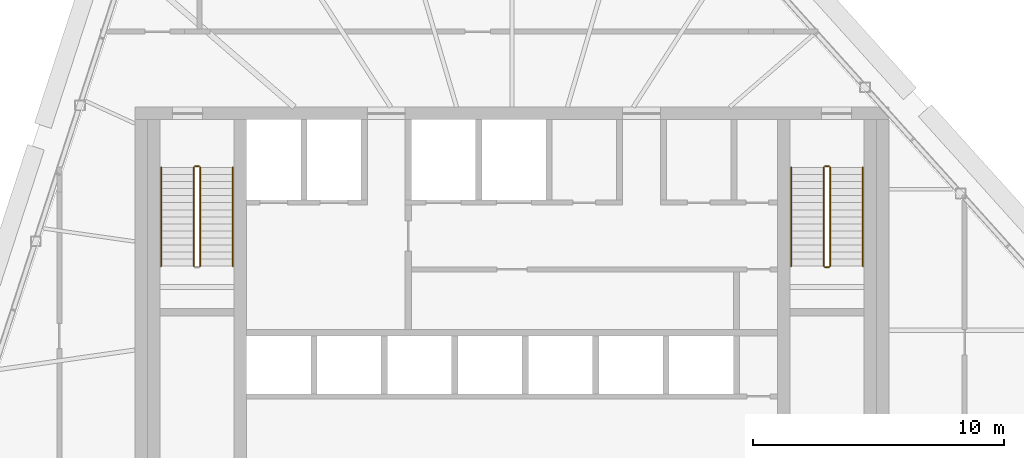
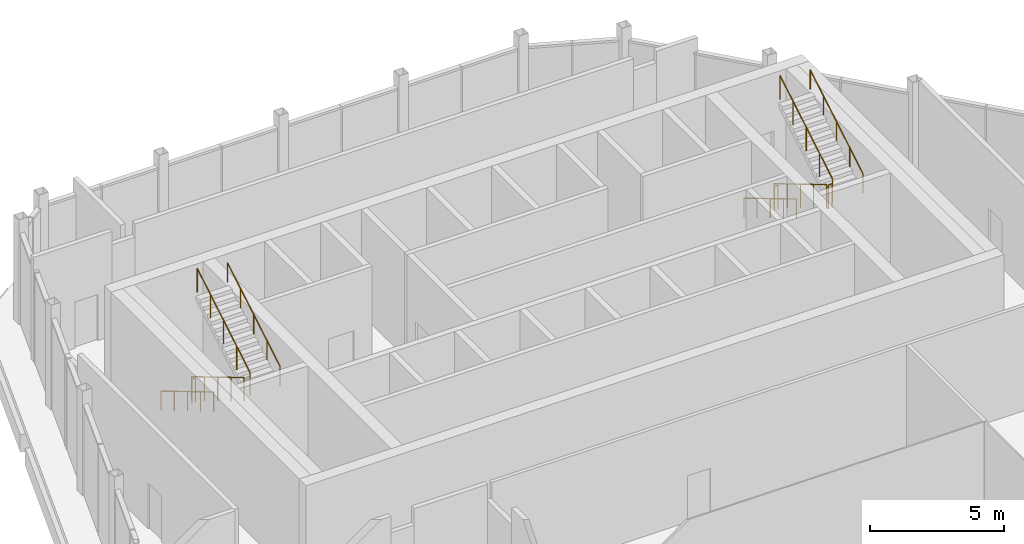
# One storey, part 12 of 12: 11 railings.
"""IFC4 building model written with IfcOpenShell, lengths in metres."""

from ifc_helpers import new_model, si_unit, direction, frame, origin, origin_2d, place, context, subcontext, project, spatial, circle, extrude, material, type_object, element, save


model = new_model("IFC4")

# Units and contexts
model_context = context("Model", 3, precision=1e-05, world=origin(), true_north=direction((0.0, 1.0)))
body_context = subcontext(model_context, "Body", "Model", "MODEL_VIEW")
ifc_project = project(units=[si_unit("LENGTHUNIT", "METRE"), si_unit("AREAUNIT", "SQUARE_METRE"), si_unit("VOLUMEUNIT", "CUBIC_METRE"), si_unit("PLANEANGLEUNIT", "RADIAN"), si_unit("MASSUNIT", "GRAM", prefix="KILO")], contexts=[model_context])

# Site, building, storey
site_placement = place(None, origin())
site = spatial("IfcSite", under=ifc_project, at=site_placement, CompositionType="ELEMENT")
building_placement = place(site_placement, origin())
building = spatial("IfcBuilding", under=site, at=building_placement, Name="Isthmus Gate Tower", CompositionType="ELEMENT")
storey_placement = place(building_placement, frame((0.0, 0.0, 301.10009765625)))
storey = spatial("IfcBuildingStorey", under=building, at=storey_placement, Name="C1", CompositionType="ELEMENT", Elevation=301.10009765625)

# Railings
ifc_material_1 = material(Name="Stainless steel balustrade", Category="steel")
railing_type_1 = type_object("IfcRailingType", Name="STAIR GUARD 1100", PredefinedType="GUARDRAIL", material=ifc_material_1)
railing_1_placement = place(storey_placement, frame((-12.64990234375, 12.60009765625, 0.16650390625)))
element("IfcRailing", 1, at=railing_1_placement, inside=storey, type_object=railing_type_1, Name="C1 ST1 stair guard 1", PredefinedType="GUARDRAIL", context=body_context, shape_type="SweptSolid", body=[
    extrude(circle(Radius=0.02392578125, at=origin_2d()), frame((0.0, 0.0, 1.076171875), z_axis=(0.0, -0.859286724212, 0.511494208758), x_axis=(1.0, 0.0, 0.0)), (0.0, 0.0, 1.0), 4.56201171875),
    extrude(circle(Radius=0.02099609375, at=origin_2d()), origin(), (0.0, 0.0, 1.0), 1.052001953125),
    extrude(circle(Radius=0.02099609375, at=origin_2d()), frame((0.0, -0.97998046875, 0.58349609375)), (0.0, 0.0, 1.0), 1.052001953125),
    extrude(circle(Radius=0.02099609375, at=origin_2d()), frame((0.0, -1.9599609375, 1.166748046875)), (0.0, 0.0, 1.0), 1.052001953125),
    extrude(circle(Radius=0.02099609375, at=origin_2d()), frame((0.0, -2.940185546875, 1.75)), (0.0, 0.0, 1.0), 1.052001953125),
    extrude(circle(Radius=0.02099609375, at=origin_2d()), frame((0.0, -3.920166015625, 2.33349609375)), (0.0, 0.0, 1.0), 1.052001953125),
])
railing_2_placement = place(storey_placement, frame((-12.39990234375, 8.679931640625, 2.66650390625)))
element("IfcRailing", 2, at=railing_2_placement, inside=storey, type_object=railing_type_1, Name="C1 ST1 stair guard 3", PredefinedType="GUARDRAIL", context=body_context, shape_type="SweptSolid", body=[
    extrude(circle(Radius=0.02392578125, at=origin_2d()), frame((0.0, 0.0, 1.076171875), z_axis=(0.0, 0.859286724212, 0.511494208758), x_axis=(-1.0, 0.0, 0.0)), (0.0, 0.0, 1.0), 4.56201171875),
    extrude(circle(Radius=0.02099609375, at=origin_2d()), origin(), (0.0, 0.0, 1.0), 1.052001953125),
    extrude(circle(Radius=0.02099609375, at=origin_2d()), frame((0.0, 0.97998046875, 0.58349609375)), (0.0, 0.0, 1.0), 1.052001953125),
    extrude(circle(Radius=0.02099609375, at=origin_2d()), frame((0.0, 1.9599609375, 1.166748046875)), (0.0, 0.0, 1.0), 1.052001953125),
    extrude(circle(Radius=0.02099609375, at=origin_2d()), frame((0.0, 2.940185546875, 1.75)), (0.0, 0.0, 1.0), 1.052001953125),
    extrude(circle(Radius=0.02099609375, at=origin_2d()), frame((0.0, 3.920166015625, 2.33349609375)), (0.0, 0.0, 1.0), 1.052001953125),
])
railing_3_placement = place(storey_placement, frame((-12.60009765625, 12.64990234375, 0.0)))
element("IfcRailing", 3, at=railing_3_placement, inside=storey, type_object=railing_type_1, Name="C1 ST1 stair guard 4", PredefinedType="GUARDRAIL", context=body_context, shape_type="SweptSolid", body=[
    extrude(circle(Radius=0.02392578125, at=origin_2d()), frame((0.0, 0.0, 1.076171875), z_axis=(1.0, 0.0, 0.0), x_axis=(0.0, 1.0, 0.0)), (0.0, 0.0, 1.0), 0.150146484375),
    extrude(circle(Radius=0.02099609375, at=origin_2d()), origin(), (0.0, 0.0, 1.0), 1.052001953125),
    extrude(circle(Radius=0.02099609375, at=origin_2d()), frame((0.150146484375, 0.0, 0.0)), (0.0, 0.0, 1.0), 1.052001953125),
])
railing_4_placement = place(storey_placement, frame((12.39990234375, 12.60009765625, 0.16650390625)))
element("IfcRailing", 4, at=railing_4_placement, inside=storey, type_object=railing_type_1, Name="C1 ST2 stair guard 1", PredefinedType="GUARDRAIL", context=body_context, shape_type="SweptSolid", body=[
    extrude(circle(Radius=0.02392578125, at=origin_2d()), frame((0.0, 0.0, 1.076171875), z_axis=(0.0, -0.859286724212, 0.511494208758), x_axis=(1.0, 0.0, 0.0)), (0.0, 0.0, 1.0), 4.56201171875),
    extrude(circle(Radius=0.02099609375, at=origin_2d()), origin(), (0.0, 0.0, 1.0), 1.052001953125),
    extrude(circle(Radius=0.02099609375, at=origin_2d()), frame((0.0, -0.97998046875, 0.58349609375)), (0.0, 0.0, 1.0), 1.052001953125),
    extrude(circle(Radius=0.02099609375, at=origin_2d()), frame((0.0, -1.9599609375, 1.166748046875)), (0.0, 0.0, 1.0), 1.052001953125),
    extrude(circle(Radius=0.02099609375, at=origin_2d()), frame((0.0, -2.940185546875, 1.75)), (0.0, 0.0, 1.0), 1.052001953125),
    extrude(circle(Radius=0.02099609375, at=origin_2d()), frame((0.0, -3.920166015625, 2.33349609375)), (0.0, 0.0, 1.0), 1.052001953125),
])
railing_5_placement = place(storey_placement, frame((12.449951171875, 8.6298828125, 2.5)))
element("IfcRailing", 5, at=railing_5_placement, inside=storey, type_object=railing_type_1, Name="C1 ST2 stair guard 2", PredefinedType="GUARDRAIL", context=body_context, shape_type="SweptSolid", body=[
    extrude(circle(Radius=0.02392578125, at=origin_2d()), frame((0.0, 0.0, 1.076171875), z_axis=(1.0, 0.0, 0.0), x_axis=(0.0, 1.0, 0.0)), (0.0, 0.0, 1.0), 0.150146484375),
    extrude(circle(Radius=0.02099609375, at=origin_2d()), origin(), (0.0, 0.0, 1.0), 1.052001953125),
    extrude(circle(Radius=0.02099609375, at=origin_2d()), frame((0.150146484375, 0.0, 0.0)), (0.0, 0.0, 1.0), 1.052001953125),
])
railing_6_placement = place(storey_placement, frame((12.64990234375, 8.679931640625, 2.66650390625)))
element("IfcRailing", 6, at=railing_6_placement, inside=storey, type_object=railing_type_1, Name="C1 ST2 stair guard 3", PredefinedType="GUARDRAIL", context=body_context, shape_type="SweptSolid", body=[
    extrude(circle(Radius=0.02392578125, at=origin_2d()), frame((0.0, 0.0, 1.076171875), z_axis=(0.0, 0.859286724212, 0.511494208758), x_axis=(-1.0, 0.0, 0.0)), (0.0, 0.0, 1.0), 4.56201171875),
    extrude(circle(Radius=0.02099609375, at=origin_2d()), origin(), (0.0, 0.0, 1.0), 1.052001953125),
    extrude(circle(Radius=0.02099609375, at=origin_2d()), frame((0.0, 0.97998046875, 0.58349609375)), (0.0, 0.0, 1.0), 1.052001953125),
    extrude(circle(Radius=0.02099609375, at=origin_2d()), frame((0.0, 1.9599609375, 1.166748046875)), (0.0, 0.0, 1.0), 1.052001953125),
    extrude(circle(Radius=0.02099609375, at=origin_2d()), frame((0.0, 2.940185546875, 1.75)), (0.0, 0.0, 1.0), 1.052001953125),
    extrude(circle(Radius=0.02099609375, at=origin_2d()), frame((0.0, 3.920166015625, 2.33349609375)), (0.0, 0.0, 1.0), 1.052001953125),
])
railing_7_placement = place(storey_placement, frame((12.449951171875, 12.64990234375, 0.0)))
element("IfcRailing", 7, at=railing_7_placement, inside=storey, type_object=railing_type_1, Name="C1 ST2 stair guard 4", PredefinedType="GUARDRAIL", context=body_context, shape_type="SweptSolid", body=[
    extrude(circle(Radius=0.02392578125, at=origin_2d()), frame((0.0, 0.0, 1.076171875), z_axis=(1.0, 0.0, 0.0), x_axis=(0.0, 1.0, 0.0)), (0.0, 0.0, 1.0), 0.150146484375),
    extrude(circle(Radius=0.02099609375, at=origin_2d()), origin(), (0.0, 0.0, 1.0), 1.052001953125),
    extrude(circle(Radius=0.02099609375, at=origin_2d()), frame((0.150146484375, 0.0, 0.0)), (0.0, 0.0, 1.0), 1.052001953125),
])
ifc_material_2 = material(Name="Stainless steel handrail", Category="steel")
railing_type_2 = type_object("IfcRailingType", Name="STAIR HANDRAIL 900", PredefinedType="HANDRAIL", material=ifc_material_2)
railing_8_placement = place(storey_placement, frame((-13.949951171875, 12.60009765625, 0.16650390625)))
element("IfcRailing", 8, at=railing_8_placement, inside=storey, type_object=railing_type_2, Name="C1 ST1 stair handrail 1", PredefinedType="HANDRAIL", context=body_context, shape_type="SweptSolid", body=[
    extrude(circle(Radius=0.02392578125, at=origin_2d()), frame((0.0, 0.0, 0.8759765625), z_axis=(0.0, -0.859286724212, 0.511494208758), x_axis=(1.0, 0.0, 0.0)), (0.0, 0.0, 1.0), 4.56201171875),
    extrude(circle(Radius=0.02099609375, at=origin_2d()), origin(), (0.0, 0.0, 1.0), 0.851806640625),
    extrude(circle(Radius=0.02099609375, at=origin_2d()), frame((0.0, -0.97998046875, 0.58349609375)), (0.0, 0.0, 1.0), 0.851806640625),
    extrude(circle(Radius=0.02099609375, at=origin_2d()), frame((0.0, -1.9599609375, 1.166748046875)), (0.0, 0.0, 1.0), 0.851806640625),
    extrude(circle(Radius=0.02099609375, at=origin_2d()), frame((0.0, -2.940185546875, 1.75)), (0.0, 0.0, 1.0), 0.851806640625),
    extrude(circle(Radius=0.02099609375, at=origin_2d()), frame((0.0, -3.920166015625, 2.33349609375)), (0.0, 0.0, 1.0), 0.851806640625),
])
railing_9_placement = place(storey_placement, frame((-11.10009765625, 8.679931640625, 2.66650390625)))
element("IfcRailing", 9, at=railing_9_placement, inside=storey, type_object=railing_type_2, Name="C1 ST1 stair handrail 2", PredefinedType="HANDRAIL", context=body_context, shape_type="SweptSolid", body=[
    extrude(circle(Radius=0.02392578125, at=origin_2d()), frame((0.0, 0.0, 0.8759765625), z_axis=(0.0, 0.859286724212, 0.511494208758), x_axis=(-1.0, 0.0, 0.0)), (0.0, 0.0, 1.0), 4.56201171875),
    extrude(circle(Radius=0.02099609375, at=origin_2d()), origin(), (0.0, 0.0, 1.0), 0.851806640625),
    extrude(circle(Radius=0.02099609375, at=origin_2d()), frame((0.0, 0.97998046875, 0.58349609375)), (0.0, 0.0, 1.0), 0.851806640625),
    extrude(circle(Radius=0.02099609375, at=origin_2d()), frame((0.0, 1.9599609375, 1.166748046875)), (0.0, 0.0, 1.0), 0.851806640625),
    extrude(circle(Radius=0.02099609375, at=origin_2d()), frame((0.0, 2.940185546875, 1.75)), (0.0, 0.0, 1.0), 0.851806640625),
    extrude(circle(Radius=0.02099609375, at=origin_2d()), frame((0.0, 3.920166015625, 2.33349609375)), (0.0, 0.0, 1.0), 0.851806640625),
])
railing_10_placement = place(storey_placement, frame((11.10009765625, 12.60009765625, 0.16650390625)))
element("IfcRailing", 10, at=railing_10_placement, inside=storey, type_object=railing_type_2, Name="C1 ST2 stair handrail 1", PredefinedType="HANDRAIL", context=body_context, shape_type="SweptSolid", body=[
    extrude(circle(Radius=0.02392578125, at=origin_2d()), frame((0.0, 0.0, 0.8759765625), z_axis=(0.0, -0.859286724212, 0.511494208758), x_axis=(1.0, 0.0, 0.0)), (0.0, 0.0, 1.0), 4.56201171875),
    extrude(circle(Radius=0.02099609375, at=origin_2d()), origin(), (0.0, 0.0, 1.0), 0.851806640625),
    extrude(circle(Radius=0.02099609375, at=origin_2d()), frame((0.0, -0.97998046875, 0.58349609375)), (0.0, 0.0, 1.0), 0.851806640625),
    extrude(circle(Radius=0.02099609375, at=origin_2d()), frame((0.0, -1.9599609375, 1.166748046875)), (0.0, 0.0, 1.0), 0.851806640625),
    extrude(circle(Radius=0.02099609375, at=origin_2d()), frame((0.0, -2.940185546875, 1.75)), (0.0, 0.0, 1.0), 0.851806640625),
    extrude(circle(Radius=0.02099609375, at=origin_2d()), frame((0.0, -3.920166015625, 2.33349609375)), (0.0, 0.0, 1.0), 0.851806640625),
])
railing_11_placement = place(storey_placement, frame((13.949951171875, 8.679931640625, 2.66650390625)))
element("IfcRailing", 11, at=railing_11_placement, inside=storey, type_object=railing_type_2, Name="C1 ST2 stair handrail 2", PredefinedType="HANDRAIL", context=body_context, shape_type="SweptSolid", body=[
    extrude(circle(Radius=0.02392578125, at=origin_2d()), frame((0.0, 0.0, 0.8759765625), z_axis=(0.0, 0.859286724212, 0.511494208758), x_axis=(-1.0, 0.0, 0.0)), (0.0, 0.0, 1.0), 4.56201171875),
    extrude(circle(Radius=0.02099609375, at=origin_2d()), origin(), (0.0, 0.0, 1.0), 0.851806640625),
    extrude(circle(Radius=0.02099609375, at=origin_2d()), frame((0.0, 0.97998046875, 0.58349609375)), (0.0, 0.0, 1.0), 0.851806640625),
    extrude(circle(Radius=0.02099609375, at=origin_2d()), frame((0.0, 1.9599609375, 1.166748046875)), (0.0, 0.0, 1.0), 0.851806640625),
    extrude(circle(Radius=0.02099609375, at=origin_2d()), frame((0.0, 2.940185546875, 1.75)), (0.0, 0.0, 1.0), 0.851806640625),
    extrude(circle(Radius=0.02099609375, at=origin_2d()), frame((0.0, 3.920166015625, 2.33349609375)), (0.0, 0.0, 1.0), 0.851806640625),
])

save(model, "model.ifc")
